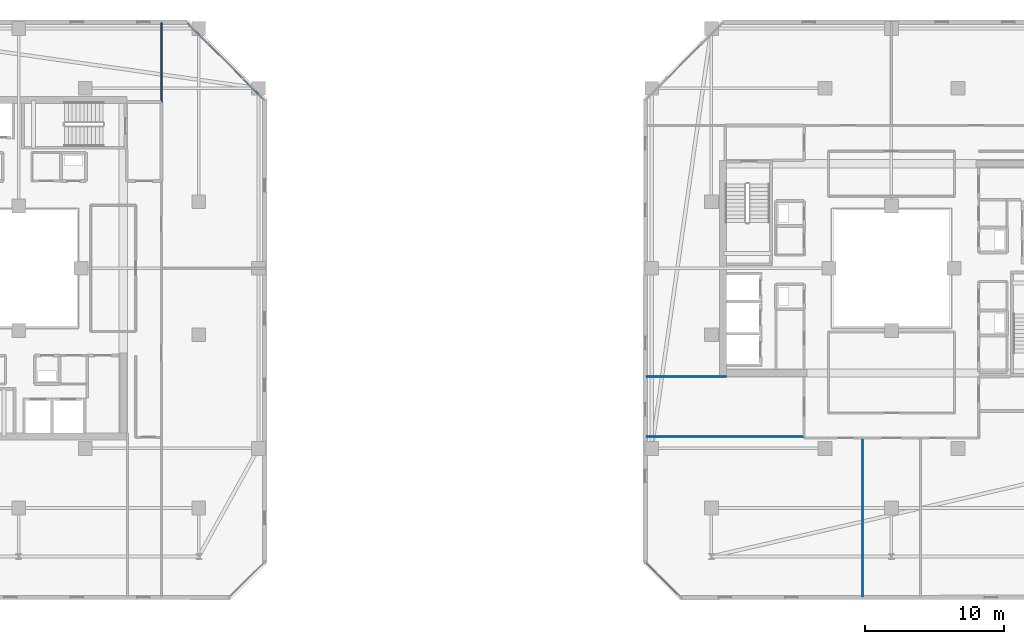
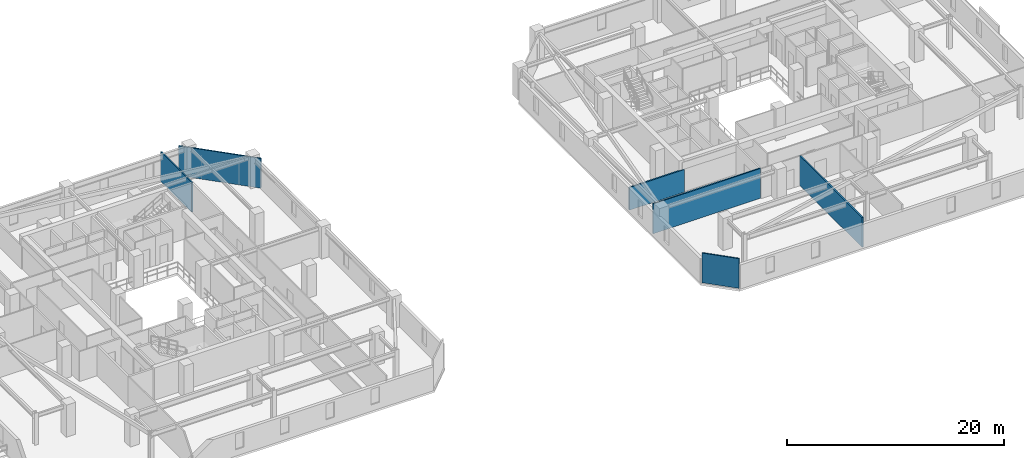
# One storey, part 21 of 31: 6 walls.
"""IFC4 building model written with IfcOpenShell, lengths in metres."""

from ifc_helpers import new_model, si_unit, direction, frame, frame_2d, origin, place, context, subcontext, project, spatial, rectangle, extrude, material, layer, layer_set, type_object, element, save


model = new_model("IFC4")

# Units and contexts
model_context = context("Model", 3, precision=1e-05, world=origin(), true_north=direction((0.0, 1.0)))
body_context = subcontext(model_context, "Body", "Model", "MODEL_VIEW")
ifc_project = project(units=[si_unit("LENGTHUNIT", "METRE"), si_unit("AREAUNIT", "SQUARE_METRE"), si_unit("VOLUMEUNIT", "CUBIC_METRE"), si_unit("PLANEANGLEUNIT", "RADIAN"), si_unit("MASSUNIT", "GRAM", prefix="KILO")], contexts=[model_context])

# Site, building, storey
site_placement = place(None, origin())
site = spatial("IfcSite", under=ifc_project, at=site_placement, CompositionType="ELEMENT")
building_placement = place(site_placement, origin())
building = spatial("IfcBuilding", under=site, at=building_placement, Name="Thornwick Lancets Civic Towers", CompositionType="ELEMENT")
storey_placement = place(building_placement, frame((0.0, 0.0, 236.699951171875)))
storey = spatial("IfcBuildingStorey", under=building, at=storey_placement, Name="L63", CompositionType="ELEMENT", Elevation=236.699951171875)

# Walls
ifc_material_1 = material(Name="Acoustic gypsum board partition")
ifc_layer_1 = layer(ifc_material_1, 0.1201171875, Name="Acoustic gypsum board partition")
ifc_layer_set_1 = layer_set([ifc_layer_1], Name="Acoustic gypsum board partition")
wall_type_1 = type_object("IfcWallType", Name="WALL_PART_120", PredefinedType="PARTITIONING", material=ifc_layer_set_1)
wall_1_placement = place(storey_placement, frame((35.800048828125, 39.0, 0.0), z_axis=(0.0, 0.0, 1.0), x_axis=(0.0, 1.0, 0.0)))
element("IfcWall", 1, at=wall_1_placement, inside=storey, type_object=wall_type_1, Name="L63 Partition L63-A-E2 E2", PredefinedType="PARTITIONING", context=body_context, shape_type="SweptSolid", body=[
    extrude(rectangle(XDim=5.719970703125, YDim=0.1201171875, at=frame_2d((2.85986328125, 0.0))), origin(), (0.0, 0.0, 1.0), 3.340087890625),
])
wall_2_placement = place(storey_placement, frame((37.679443359375, 44.719970703125, 0.0), z_axis=(0.0, 0.0, 1.0), x_axis=(0.707106781187, -0.707106781187, 0.0)))
element("IfcWall", 2, at=wall_2_placement, inside=storey, type_object=wall_type_1, Name="L63 Partition L63-A-E2 E4", PredefinedType="PARTITIONING", context=body_context, shape_type="SweptSolid", body=[
    extrude(rectangle(XDim=7.83544921875, YDim=0.1201171875, at=frame_2d((3.917724609375, 0.0))), origin(), (0.0, 0.0, 1.0), 3.340087890625),
])
wall_3_placement = place(storey_placement, frame((73.274658203125, 3.280029296875, 0.0), z_axis=(0.0, 0.0, 1.0), x_axis=(-0.707106781187, 0.707106781187, 0.0)))
element("IfcWall", 3, at=wall_3_placement, inside=storey, type_object=wall_type_1, Name="L63 Partition L63-B-W2B E2", PredefinedType="PARTITIONING", context=body_context, shape_type="SweptSolid", body=[
    extrude(rectangle(XDim=3.52783203125, YDim=0.1201171875, at=frame_2d((1.763916015625, 0.0))), origin(), (0.0, 0.0, 1.0), 3.340087890625),
])
ifc_material_2 = material(Name="Twin-stud acoustic gypsum board")
ifc_layer_2 = layer(ifc_material_2, 0.14990234375, Name="Twin-stud acoustic gypsum board")
ifc_layer_set_2 = layer_set([ifc_layer_2], Name="Twin-stud acoustic gypsum board")
wall_type_2 = type_object("IfcWallType", Name="WALL_PART_150", PredefinedType="PARTITIONING", material=ifc_layer_set_2)
wall_4_placement = place(storey_placement, frame((82.199951171875, 14.85009765625, 0.0), z_axis=(0.0, 0.0, 1.0), x_axis=(-1.0, 0.0, 0.0)))
element("IfcWall", 4, at=wall_4_placement, inside=storey, type_object=wall_type_2, Name="L63 Partition L63-B-RECLAIM-M1 E1", PredefinedType="PARTITIONING", context=body_context, shape_type="SweptSolid", body=[
    extrude(rectangle(XDim=11.419921875, YDim=0.14990234375, at=frame_2d((5.7099609375, 0.0))), origin(), (0.0, 0.0, 1.0), 3.340087890625),
])
wall_5_placement = place(storey_placement, frame((70.780029296875, 19.199951171875, 0.0), z_axis=(0.0, 0.0, 1.0), x_axis=(1.0, 0.0, 0.0)))
element("IfcWall", 5, at=wall_5_placement, inside=storey, type_object=wall_type_2, Name="L63 Partition L63-B-RECLAIM-M1 E3", PredefinedType="PARTITIONING", context=body_context, shape_type="SweptSolid", body=[
    extrude(rectangle(XDim=5.820068359375, YDim=0.14990234375, at=frame_2d((2.91015625, 0.0))), origin(), (0.0, 0.0, 1.0), 2.545166015625),
])
wall_6_placement = place(storey_placement, frame((86.39990234375, 3.280029296875, 0.0), z_axis=(0.0, 0.0, 1.0), x_axis=(0.0, 1.0, 0.0)))
element("IfcWall", 6, at=wall_6_placement, inside=storey, type_object=wall_type_2, Name="L63 Partition L63-B-W2 E3", PredefinedType="PARTITIONING", context=body_context, shape_type="SweptSolid", body=[
    extrude(rectangle(XDim=11.469970703125, YDim=0.14990234375, at=frame_2d((5.73486328125, 0.0))), origin(), (0.0, 0.0, 1.0), 3.340087890625),
])

save(model, "model.ifc")
